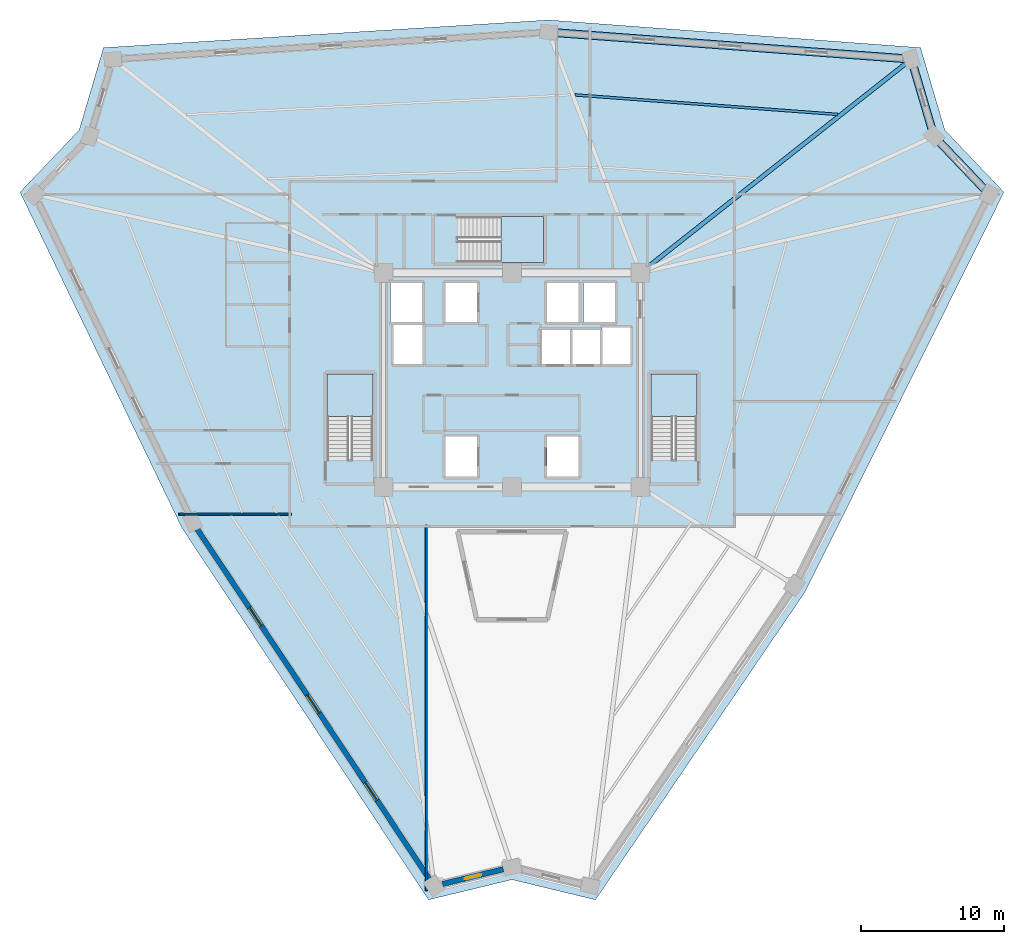
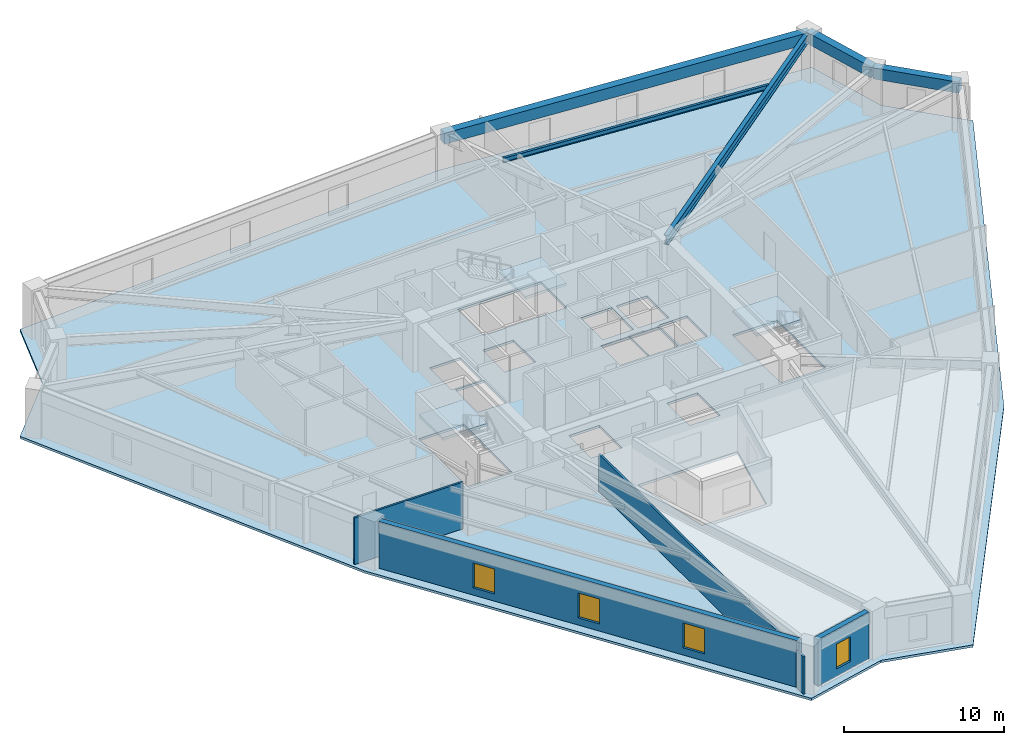
# One storey, part 2 of 10: 5 beams, 4 slabs, 4 walls, 4 windows, 4 openings, 3 elements without a shape of their own.
"""IFC4 building model written with IfcOpenShell, lengths in metres."""

from ifc_helpers import new_model, si_unit, direction, frame, frame_2d, origin, origin_2d, place, context, subcontext, project, spatial, polyline, rectangle, i_section, outline, extrude, source, transform, mapped, material, layer, layer_set, material_profile, profile_set, type_object, element, fill, aggregate, save


model = new_model("IFC4")

# Units and contexts
model_context = context("Model", 3, precision=1e-05, world=origin(), true_north=direction((0.0, 1.0)))
body_context = subcontext(model_context, "Body", "Model", "MODEL_VIEW")
ifc_project = project(units=[si_unit("LENGTHUNIT", "METRE"), si_unit("AREAUNIT", "SQUARE_METRE"), si_unit("VOLUMEUNIT", "CUBIC_METRE"), si_unit("PLANEANGLEUNIT", "RADIAN"), si_unit("MASSUNIT", "GRAM", prefix="KILO")], contexts=[model_context])

# Site, building, storey
site_placement = place(None, origin())
site = spatial("IfcSite", under=ifc_project, at=site_placement, CompositionType="ELEMENT")
building_placement = place(site_placement, origin())
building = spatial("IfcBuilding", under=site, at=building_placement, Name="Liaohun Quay Tower", CompositionType="ELEMENT")
storey_placement = place(building_placement, frame((0.0, 0.0, 216.75)))
storey = spatial("IfcBuildingStorey", under=building, at=storey_placement, Name="L56", CompositionType="ELEMENT", Elevation=216.75)

# Beams
ifc_material_1 = material(Name="Steel Q355D", Category="steel")
ifc_material_profile_1 = material_profile(ifc_material_1, i_section(OverallWidth=0.300048828125, OverallDepth=0.699951171875, WebThickness=0.012939453125, FlangeThickness=0.02392578125, at=origin_2d()), Name="HN700x300x13x24")
ifc_profile_set_1 = profile_set([ifc_material_profile_1], Name="Steel Q355D")
beam_type_1 = type_object("IfcBeamType", Name="BM-RAD-U1", PredefinedType="BEAM", material=ifc_profile_set_1)
shared_shape_1 = source(origin(), body_context, "Body", "SweptSolid", [
    extrude(i_section(OverallWidth=0.300048828125, OverallDepth=0.699951171875, WebThickness=0.012939453125, FlangeThickness=0.02392578125, at=origin_2d()), origin(), (0.0, 0.0, 1.0), 24.138427734375),
])
beam_1_placement = place(storey_placement, frame((69.0, 61.5, 3.219970703125), z_axis=(0.785055677777, 0.619425203547, 0.0), x_axis=(-0.619425203547, 0.785055677777, 0.0)))
element("IfcBeam", 1, at=beam_1_placement, inside=storey, type_object=beam_type_1, Name="L56 Radial Primary Girder CC4-PC07", PredefinedType="BEAM", context=body_context, shape_type="MappedRepresentation", body=[
    mapped(shared_shape_1, transform((0.0, 0.0, 0.0), x_axis=(1.0, 0.0, 0.0), y_axis=(0.0, 1.0, 0.0), z_axis=(0.0, 0.0, 1.0), scale=1.0)),
])
ifc_material_profile_2 = material_profile(ifc_material_1, i_section(OverallWidth=0.175048828125, OverallDepth=0.35009765625, WebThickness=0.007080078125, FlangeThickness=0.010986328125, at=origin_2d()), Name="HN350x175x7x11")
ifc_profile_set_2 = profile_set([ifc_material_profile_2], Name="Steel Q355D")
beam_type_2 = type_object("IfcBeamType", Name="BM-SEC-J3", PredefinedType="JOIST", material=ifc_profile_set_2)
shared_shape_2 = source(origin(), body_context, "Body", "SweptSolid", [
    extrude(i_section(OverallWidth=0.175048828125, OverallDepth=0.35009765625, WebThickness=0.007080078125, FlangeThickness=0.010986328125, at=origin_2d()), origin(), (0.0, 0.0, 1.0), 18.44677734375),
])
beam_2_placement = place(storey_placement, frame((64.406005859375, 73.948974609375, 3.39501953125), z_axis=(0.99724673346, -0.074154922994, 0.0), x_axis=(0.074154922994, 0.99724673346, 0.0)))
element("IfcBeam", 2, at=beam_2_placement, inside=storey, type_object=beam_type_2, Name="L56 Wing Secondary Floor Joist SJ-09", PredefinedType="JOIST", context=body_context, shape_type="MappedRepresentation", body=[
    mapped(shared_shape_2, transform((0.0, 0.0, 0.0), x_axis=(1.0, 0.0, 0.0), y_axis=(0.0, 1.0, 0.0), z_axis=(0.0, 0.0, 1.0), scale=1.0)),
])
ifc_material_2 = material(Name="Precast concrete C50", Category="concrete")
ifc_material_profile_3 = material_profile(ifc_material_2, rectangle(XDim=0.550048828125, YDim=0.85009765625, at=origin_2d()), Name="RC550x850")
ifc_profile_set_3 = profile_set([ifc_material_profile_3], Name="Precast concrete C50")
beam_type_3 = type_object("IfcBeamType", Name="BM-SPD-Z3", PredefinedType="SPANDREL", material=ifc_profile_set_3)
shared_shape_3 = source(origin(), body_context, "Body", "SweptSolid", [
    extrude(rectangle(XDim=0.550048828125, YDim=0.85009765625, at=origin_2d()), origin(), (0.0, 0.0, 1.0), 25.450927734375),
])
beam_3_placement = place(storey_placement, frame((62.569091796875, 78.340087890625, 3.14501953125), z_axis=(0.997244200205, -0.074188982728, 0.0), x_axis=(0.074188982728, 0.997244200205, 0.0)))
element("IfcBeam", 3, at=beam_3_placement, inside=storey, type_object=beam_type_3, Name="L56 Precast Spandrel Beam PC06-PC07", PredefinedType="SPANDREL", context=body_context, shape_type="MappedRepresentation", body=[
    mapped(shared_shape_3, transform((0.0, 0.0, 0.0), x_axis=(1.0, 0.0, 0.0), y_axis=(0.0, 1.0, 0.0), z_axis=(0.0, 0.0, 1.0), scale=1.0)),
])
shared_shape_4 = source(origin(), body_context, "Body", "SweptSolid", [
    extrude(rectangle(XDim=0.550048828125, YDim=0.85009765625, at=origin_2d()), origin(), (0.0, 0.0, 1.0), 5.626708984375),
])
beam_4_placement = place(storey_placement, frame((87.949951171875, 76.451904296875, 3.14501953125), z_axis=(0.282774698991, -0.959186358124, 0.0), x_axis=(0.959186358124, 0.282774698991, 0.0)))
element("IfcBeam", 4, at=beam_4_placement, inside=storey, type_object=beam_type_3, Name="L56 Precast Spandrel Beam PC07-PC08", PredefinedType="SPANDREL", context=body_context, shape_type="MappedRepresentation", body=[
    mapped(shared_shape_4, transform((0.0, 0.0, 0.0), x_axis=(1.0, 0.0, 0.0), y_axis=(0.0, 1.0, 0.0), z_axis=(0.0, 0.0, 1.0), scale=1.0)),
])
shared_shape_5 = source(origin(), body_context, "Body", "SweptSolid", [
    extrude(rectangle(XDim=0.550048828125, YDim=0.85009765625, at=origin_2d()), origin(), (0.0, 0.0, 1.0), 5.6181640625),
])
beam_5_placement = place(storey_placement, frame((89.541015625, 71.054931640625, 3.14501953125), z_axis=(0.689377337455, -0.724402434151, 0.0), x_axis=(0.724402434151, 0.689377337455, 0.0)))
element("IfcBeam", 5, at=beam_5_placement, inside=storey, type_object=beam_type_3, Name="L56 Precast Spandrel Beam PC08-PC09", PredefinedType="SPANDREL", context=body_context, shape_type="MappedRepresentation", body=[
    mapped(shared_shape_5, transform((0.0, 0.0, 0.0), x_axis=(1.0, 0.0, 0.0), y_axis=(0.0, 1.0, 0.0), z_axis=(0.0, 0.0, 1.0), scale=1.0)),
])

# Stair, slab
ifc_material_3 = material(Name="Concrete C45", Category="concrete")
stair_type = type_object("IfcStairType", Name="STR-CORE-OFF", PredefinedType="HALF_TURN_STAIR", material=ifc_material_3)
stair_1_placement = place(storey_placement, origin())
stair_1 = element("IfcStair", 6, at=stair_1_placement, inside=storey, type_object=stair_type, Name="L56 Smokeproof Core Exit Stair ST-1", PredefinedType="HALF_TURN_STAIR")
ifc_layer_1 = layer(ifc_material_3, 0.199951171875, Name="Concrete C45", Category="concrete")
ifc_layer_set_1 = layer_set([ifc_layer_1], Name="Concrete C45")
slab_type_1 = type_object("IfcSlabType", Name="SLB-LND-200", PredefinedType="LANDING", material=ifc_layer_set_1)
slab_1_placement = place(storey_placement, frame((0.0, 0.0, 1.675048828125)))
slab_1 = element("IfcSlab", 7, at=slab_1_placement, type_object=slab_type_1, Name="ST-1 landing 1", PredefinedType="LANDING", context=body_context, shape_type="SweptSolid", body=[
    extrude(outline(polyline([(50.280029296875, 51.429931640625), (50.280029296875, 54.419921875), (47.0400390625, 54.419921875), (47.0400390625, 51.429931640625), (50.280029296875, 51.429931640625)])), origin(), (0.0, 0.0, 1.0), 0.199951171875),
])
aggregate(stair_1, [slab_1])

stair_2_placement = place(storey_placement, origin())
stair_2 = element("IfcStair", 8, at=stair_2_placement, inside=storey, type_object=stair_type, Name="L56 Smokeproof Core Exit Stair ST-2", PredefinedType="HALF_TURN_STAIR")
slab_2_placement = place(storey_placement, frame((0.0, 0.0, 1.675048828125)))
slab_2 = element("IfcSlab", 9, at=slab_2_placement, type_object=slab_type_1, Name="ST-2 landing 1", PredefinedType="LANDING", context=body_context, shape_type="SweptSolid", body=[
    extrude(outline(polyline([(72.9599609375, 51.429931640625), (72.9599609375, 54.419921875), (69.719970703125, 54.419921875), (69.719970703125, 51.429931640625), (72.9599609375, 51.429931640625)])), origin(), (0.0, 0.0, 1.0), 0.199951171875),
])
aggregate(stair_2, [slab_2])

stair_3_placement = place(storey_placement, origin())
stair_3 = element("IfcStair", 10, at=stair_3_placement, inside=storey, type_object=stair_type, Name="L56 Smokeproof Core Exit Stair ST-3", PredefinedType="HALF_TURN_STAIR")
slab_3_placement = place(storey_placement, frame((0.0, 0.0, 1.675048828125)))
slab_3 = element("IfcSlab", 11, at=slab_3_placement, type_object=slab_type_1, Name="ST-3 landing 1", PredefinedType="LANDING", context=body_context, shape_type="SweptSolid", body=[
    extrude(outline(polyline([(59.22998046875, 62.199951171875), (62.219970703125, 62.199951171875), (62.219970703125, 65.43994140625), (59.22998046875, 65.43994140625), (59.22998046875, 62.199951171875)])), origin(), (0.0, 0.0, 1.0), 0.199951171875),
])
aggregate(stair_3, [slab_3])

# Slab
ifc_layer_2 = layer(ifc_material_3, 0.179931640625, Name="Concrete C45", Category="concrete")
ifc_layer_set_2 = layer_set([ifc_layer_2], Name="Concrete C45")
slab_type_2 = type_object("IfcSlabType", Name="SLB-OFF-180", PredefinedType="FLOOR", material=ifc_layer_set_2)
slab_4_placement = place(storey_placement, frame((0.0, 0.0, -0.179931640625)))
element("IfcSlab", 12, at=slab_4_placement, inside=storey, type_object=slab_type_2, Name="L56 Structural Floor Slab", PredefinedType="FLOOR", context=body_context, shape_type="SweptSolid", body=[
    extrude(outline(polyline([(54.158935546875, 17.60400390625), (60.0, 19.014892578125), (65.841064453125, 17.60400390625), (80.530029296875, 39.175048828125), (94.43994140625, 67.139892578125), (90.298095703125, 71.491943359375), (88.59912109375, 77.256103515625), (62.573974609375, 79.19189453125), (31.40087890625, 77.256103515625), (29.701904296875, 71.491943359375), (25.56005859375, 67.139892578125), (36.89599609375, 43.633056640625), (54.158935546875, 17.60400390625)]), holes=[polyline([(63.591064453125, 43.199951171875), (56.408935546875, 43.199951171875), (57.666015625, 37.385986328125), (62.333984375, 37.385986328125), (63.591064453125, 43.199951171875)]), polyline([(57.56005859375, 47.2099609375), (57.56005859375, 50.030029296875), (55.340087890625, 50.030029296875), (55.340087890625, 47.2099609375), (57.56005859375, 47.2099609375)]), polyline([(50.280029296875, 54.419921875), (47.0400390625, 54.419921875), (47.0400390625, 48.409912109375), (50.280029296875, 48.409912109375), (50.280029296875, 54.419921875)]), polyline([(53.760009765625, 55.090087890625), (53.760009765625, 57.909912109375), (51.7099609375, 57.909912109375), (51.7099609375, 55.090087890625), (53.760009765625, 55.090087890625)]), polyline([(53.7099609375, 58.0400390625), (53.7099609375, 60.7900390625), (51.489990234375, 60.7900390625), (51.489990234375, 58.0400390625), (53.7099609375, 58.0400390625)]), polyline([(57.56005859375, 58.0400390625), (57.56005859375, 60.7900390625), (55.340087890625, 60.7900390625), (55.340087890625, 58.0400390625), (57.56005859375, 58.0400390625)]), polyline([(62.219970703125, 62.199951171875), (62.219970703125, 65.43994140625), (56.2099609375, 65.43994140625), (56.2099609375, 62.199951171875), (62.219970703125, 62.199951171875)]), polyline([(64.659912109375, 50.030029296875), (62.43994140625, 50.030029296875), (62.43994140625, 47.2099609375), (64.659912109375, 47.2099609375), (64.659912109375, 50.030029296875)]), polyline([(72.9599609375, 54.419921875), (69.719970703125, 54.419921875), (69.719970703125, 48.409912109375), (72.9599609375, 48.409912109375), (72.9599609375, 54.419921875)]), polyline([(64.06005859375, 55.090087890625), (64.06005859375, 57.510009765625), (61.989990234375, 57.510009765625), (61.989990234375, 55.090087890625), (64.06005859375, 55.090087890625)]), polyline([(66.159912109375, 55.090087890625), (66.159912109375, 57.510009765625), (64.090087890625, 57.510009765625), (64.090087890625, 55.090087890625), (66.159912109375, 55.090087890625)]), polyline([(68.2900390625, 55.090087890625), (68.2900390625, 57.659912109375), (66.2900390625, 57.659912109375), (66.2900390625, 55.090087890625), (68.2900390625, 55.090087890625)]), polyline([(64.659912109375, 58.0400390625), (64.659912109375, 60.7900390625), (62.43994140625, 60.7900390625), (62.43994140625, 58.0400390625), (64.659912109375, 58.0400390625)]), polyline([(67.2099609375, 58.0400390625), (67.2099609375, 60.7900390625), (64.989990234375, 60.7900390625), (64.989990234375, 58.0400390625), (67.2099609375, 58.0400390625)])]), origin(), (0.0, 0.0, 1.0), 0.179931640625),
])

# Wall, openings, windows
ifc_material_4 = material(Name="Precast concrete C50 insulated sandwich", Category="concrete")
ifc_layer_3 = layer(ifc_material_4, 0.3798828125, Name="Precast concrete C50 insulated sandwich", Category="concrete")
ifc_layer_set_3 = layer_set([ifc_layer_3], Name="Precast concrete C50 insulated sandwich")
wall_type_1 = type_object("IfcWallType", Name="WAL-EXT-Z34", PredefinedType="SOLIDWALL", material=ifc_layer_set_3)
wall_1_placement = place(storey_placement, frame((37.97607421875, 43.541015625, 0.0), z_axis=(0.0, 0.0, 1.0), x_axis=(0.552730970618, -0.833359750719, 0.0)))
wall_1 = element("IfcWall", 13, at=wall_1_placement, inside=storey, type_object=wall_type_1, Name="L56 Brutalist Precast Pier Wall 11", PredefinedType="SOLIDWALL", context=body_context, shape_type="SweptSolid", body=[
    extrude(rectangle(XDim=29.3486328125, YDim=0.3798828125, at=frame_2d((14.67431640625, 0.0))), origin(), (0.0, 0.0, 1.0), 3.570068359375),
])
shared_shape_6 = source(origin(), body_context, "Body", "SweptSolid", [
    extrude(rectangle(XDim=1.5, YDim=1.89990234375, at=frame_2d((0.75, 0.949951171875))), frame((0.0, 0.199951171875, 0.0), z_axis=(0.0, -1.0, 0.0), x_axis=(1.0, 0.0, 0.0)), (0.0, 0.0, 1.0), 0.39990234375),
])
opening_1_placement = place(wall_1_placement, frame((6.5869140625, 0.0, 0.550048828125)))
opening_1 = element("IfcOpeningElement", 14, at=opening_1_placement, cuts=wall_1, Name="Opening W03", PredefinedType="OPENING", context=body_context, shape_type="MappedRepresentation", body=[
    mapped(shared_shape_6, transform((0.0, 0.0, 0.0), x_axis=(1.0, 0.0, 0.0), y_axis=(0.0, 1.0, 0.0), z_axis=(0.0, 0.0, 1.0), scale=1.0)),
])
opening_2_placement = place(wall_1_placement, frame((13.924072265625, 0.0, 0.550048828125)))
opening_2 = element("IfcOpeningElement", 15, at=opening_2_placement, cuts=wall_1, Name="Opening W03", PredefinedType="OPENING", context=body_context, shape_type="MappedRepresentation", body=[
    mapped(shared_shape_6, transform((0.0, 0.0, 0.0), x_axis=(1.0, 0.0, 0.0), y_axis=(0.0, 1.0, 0.0), z_axis=(0.0, 0.0, 1.0), scale=1.0)),
])
opening_3_placement = place(wall_1_placement, frame((21.261962890625, 0.0, 0.550048828125)))
opening_3 = element("IfcOpeningElement", 16, at=opening_3_placement, cuts=wall_1, Name="Opening W03", PredefinedType="OPENING", context=body_context, shape_type="MappedRepresentation", body=[
    mapped(shared_shape_6, transform((0.0, 0.0, 0.0), x_axis=(1.0, 0.0, 0.0), y_axis=(0.0, 1.0, 0.0), z_axis=(0.0, 0.0, 1.0), scale=1.0)),
])
ifc_material_5 = material(Name="Triple Low-E argon glazing in thermally broken aluminium", Category="aluminium")
window_type_1 = type_object("IfcWindowType", Name="WIN-PUN-Z3", PartitioningType="DOUBLE_PANEL_VERTICAL", PredefinedType="WINDOW", material=ifc_material_5)
shared_shape_7 = source(origin(), body_context, "Body", "SweptSolid", [
    extrude(rectangle(XDim=1.5, YDim=1.89990234375, at=frame_2d((0.75, 0.949951171875))), frame((0.0, 0.030029296875, 0.0), z_axis=(0.0, -1.0, 0.0), x_axis=(1.0, 0.0, 0.0)), (0.0, 0.0, 1.0), 0.06005859375),
])
window_1_placement = place(opening_1_placement, origin())
window_1 = element("IfcWindow", 17, at=window_1_placement, inside=storey, type_object=window_type_1, Name="L56 Recessed Cold-Climate Punched Window 11-1", OverallHeight=1.89990234375, OverallWidth=1.5, PartitioningType="DOUBLE_PANEL_VERTICAL", PredefinedType="WINDOW", context=body_context, shape_type="MappedRepresentation", body=[
    mapped(shared_shape_7, transform((0.0, 0.0, 0.0), x_axis=(1.0, 0.0, 0.0), y_axis=(0.0, 1.0, 0.0), z_axis=(0.0, 0.0, 1.0), scale=1.0)),
])
fill(opening_1, window_1)
window_2_placement = place(opening_2_placement, origin())
window_2 = element("IfcWindow", 18, at=window_2_placement, inside=storey, type_object=window_type_1, Name="L56 Recessed Cold-Climate Punched Window 11-2", OverallHeight=1.89990234375, OverallWidth=1.5, PartitioningType="DOUBLE_PANEL_VERTICAL", PredefinedType="WINDOW", context=body_context, shape_type="MappedRepresentation", body=[
    mapped(shared_shape_7, transform((0.0, 0.0, 0.0), x_axis=(1.0, 0.0, 0.0), y_axis=(0.0, 1.0, 0.0), z_axis=(0.0, 0.0, 1.0), scale=1.0)),
])
fill(opening_2, window_2)
window_3_placement = place(opening_3_placement, origin())
window_3 = element("IfcWindow", 19, at=window_3_placement, inside=storey, type_object=window_type_1, Name="L56 Recessed Cold-Climate Punched Window 11-3", OverallHeight=1.89990234375, OverallWidth=1.5, PartitioningType="DOUBLE_PANEL_VERTICAL", PredefinedType="WINDOW", context=body_context, shape_type="MappedRepresentation", body=[
    mapped(shared_shape_7, transform((0.0, 0.0, 0.0), x_axis=(1.0, 0.0, 0.0), y_axis=(0.0, 1.0, 0.0), z_axis=(0.0, 0.0, 1.0), scale=1.0)),
])
fill(opening_3, window_3)

# Wall, opening, window
wall_2_placement = place(storey_placement, frame((55.135986328125, 18.714111328125, 0.0), z_axis=(0.0, 0.0, 1.0), x_axis=(0.972016981831, 0.234910593698, 0.0)))
wall_2 = element("IfcWall", 20, at=wall_2_placement, inside=storey, type_object=wall_type_1, Name="L56 Brutalist Precast Pier Wall 12", PredefinedType="SOLIDWALL", context=body_context, shape_type="SweptSolid", body=[
    extrude(rectangle(XDim=4.388916015625, YDim=0.3798828125, at=frame_2d((2.1943359375, 0.0))), origin(), (0.0, 0.0, 1.0), 3.570068359375),
])
shared_shape_8 = source(origin(), body_context, "Body", "SweptSolid", [
    extrude(rectangle(XDim=1.199951171875, YDim=1.89990234375, at=frame_2d((0.60009765625, 0.949951171875))), frame((0.0, 0.199951171875, 0.0), z_axis=(0.0, -1.0, 0.0), x_axis=(1.0, 0.0, 0.0)), (0.0, 0.0, 1.0), 0.39990234375),
])
opening_4_placement = place(wall_2_placement, frame((1.593994140625, 0.0, 0.550048828125)))
opening_4 = element("IfcOpeningElement", 21, at=opening_4_placement, cuts=wall_2, Name="Opening W05", PredefinedType="OPENING", context=body_context, shape_type="MappedRepresentation", body=[
    mapped(shared_shape_8, transform((0.0, 0.0, 0.0), x_axis=(1.0, 0.0, 0.0), y_axis=(0.0, 1.0, 0.0), z_axis=(0.0, 0.0, 1.0), scale=1.0)),
])
ifc_material_6 = material(Name="Triple Low-E corner notch glazing", Category="glass")
window_type_2 = type_object("IfcWindowType", Name="WIN-NOTCH", PartitioningType="SINGLE_PANEL", PredefinedType="WINDOW", material=ifc_material_6)
shared_shape_9 = source(origin(), body_context, "Body", "SweptSolid", [
    extrude(rectangle(XDim=1.199951171875, YDim=1.89990234375, at=frame_2d((0.60009765625, 0.949951171875))), frame((0.0, 0.030029296875, 0.0), z_axis=(0.0, -1.0, 0.0), x_axis=(1.0, 0.0, 0.0)), (0.0, 0.0, 1.0), 0.06005859375),
])
window_4_placement = place(opening_4_placement, origin())
window_4 = element("IfcWindow", 22, at=window_4_placement, inside=storey, type_object=window_type_2, Name="L56 Corner Notch Window W05-12", OverallHeight=1.89990234375, OverallWidth=1.199951171875, PartitioningType="SINGLE_PANEL", PredefinedType="WINDOW", context=body_context, shape_type="MappedRepresentation", body=[
    mapped(shared_shape_9, transform((0.0, 0.0, 0.0), x_axis=(1.0, 0.0, 0.0), y_axis=(0.0, 1.0, 0.0), z_axis=(0.0, 0.0, 1.0), scale=1.0)),
])
fill(opening_4, window_4)

# Walls
ifc_material_7 = material(Name="Gypsum board on twin steel studs", Category="steel")
ifc_layer_4 = layer(ifc_material_7, 0.139892578125, Name="Gypsum board on twin steel studs", Category="steel")
ifc_layer_set_4 = layer_set([ifc_layer_4], Name="Gypsum board on twin steel studs")
wall_type_2 = type_object("IfcWallType", Name="WAL-PRT-OFF", PredefinedType="PARTITIONING", material=ifc_layer_set_4)
wall_3_placement = place(storey_placement, frame((44.5400390625, 44.60009765625, 0.0), z_axis=(0.0, 0.0, 1.0), x_axis=(-1.0, 0.0, 0.0)))
element("IfcWall", 23, at=wall_3_placement, inside=storey, type_object=wall_type_2, Name="L56 Interior Partition Wall 049", PredefinedType="PARTITIONING", context=body_context, shape_type="SweptSolid", body=[
    extrude(rectangle(XDim=7.865966796875, YDim=0.139892578125, at=frame_2d((3.93310546875, 0.0))), origin(), (0.0, 0.0, 1.0), 3.570068359375),
])
wall_4_placement = place(storey_placement, frame((54.0, 43.840087890625, 0.0), z_axis=(0.0, 0.0, 1.0), x_axis=(0.0, -1.0, 0.0)))
element("IfcWall", 24, at=wall_4_placement, inside=storey, type_object=wall_type_2, Name="L56 Interior Partition Wall 054", PredefinedType="PARTITIONING", context=body_context, shape_type="SweptSolid", body=[
    extrude(rectangle(XDim=25.59814453125, YDim=0.139892578125, at=frame_2d((12.799072265625, 0.0))), origin(), (0.0, 0.0, 1.0), 2.85498046875),
])

save(model, "model.ifc")
